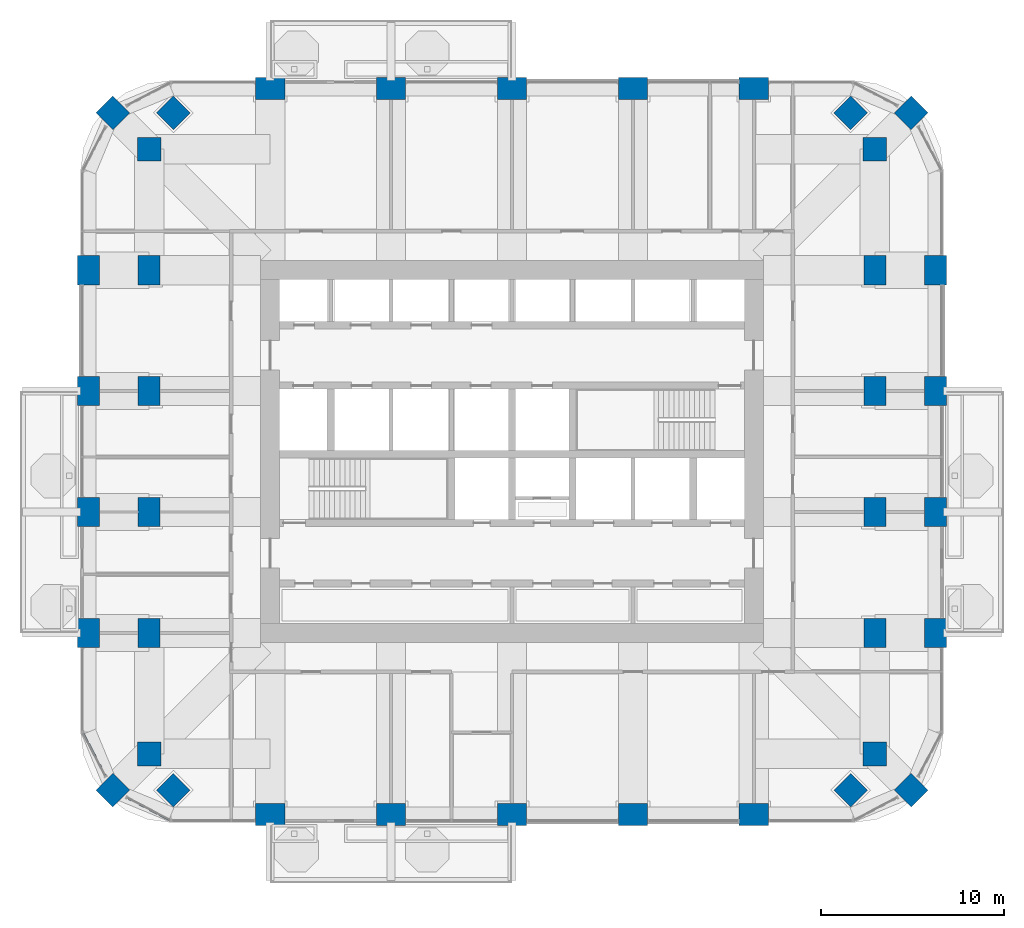
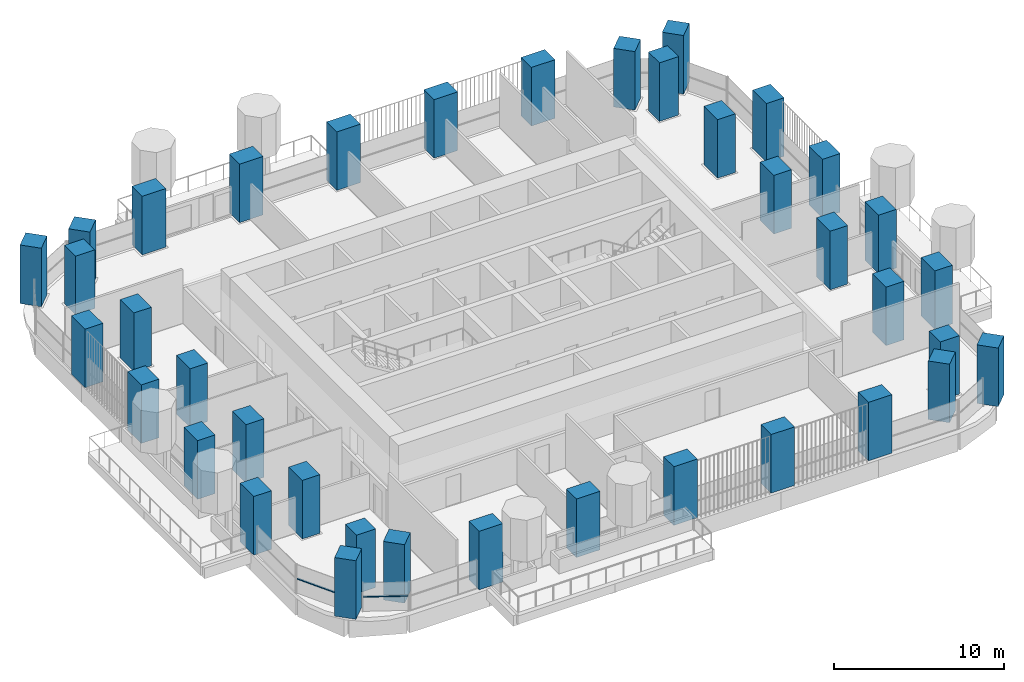
# One storey, part 1 of 20: 38 columns, 2 members, 2 elements without a shape of their own.
"""IFC4 building model written with IfcOpenShell, lengths in metres."""

from ifc_helpers import new_model, si_unit, direction, frame, origin, origin_2d, place, context, subcontext, project, spatial, rectangle, extrude, material, material_profile, profile_set, type_object, element, aggregate, save


model = new_model("IFC4")

# Units and contexts
model_context = context("Model", 3, precision=1e-05, world=origin(), true_north=direction((0.0, 1.0)))
body_context = subcontext(model_context, "Body", "Model", "MODEL_VIEW")
ifc_project = project(units=[si_unit("LENGTHUNIT", "METRE"), si_unit("AREAUNIT", "SQUARE_METRE"), si_unit("VOLUMEUNIT", "CUBIC_METRE"), si_unit("PLANEANGLEUNIT", "RADIAN"), si_unit("MASSUNIT", "GRAM", prefix="KILO")], contexts=[model_context])

# Site, building, storey
site_placement = place(None, origin())
site = spatial("IfcSite", under=ifc_project, at=site_placement, CompositionType="ELEMENT")
building_placement = place(site_placement, origin())
building = spatial("IfcBuilding", under=site, at=building_placement, Name="Cobogo Forest Laboratory Tower", CompositionType="ELEMENT")
storey_placement = place(building_placement, frame((0.0, 0.0, 218.699951171875)))
storey = spatial("IfcBuildingStorey", under=building, at=storey_placement, Name="L50", CompositionType="ELEMENT", Elevation=218.699951171875)

# Columns
ifc_material_1 = material(Name="Concrete HA-50 (C50/60)", Category="concrete")
ifc_material_profile_1 = material_profile(ifc_material_1, rectangle(XDim=1.60009765625, YDim=1.199951171875, at=origin_2d()), Name="RC 1200x1600")
ifc_profile_set_1 = profile_set([ifc_material_profile_1], Name="Concrete HA-50 (C50/60)")
column_type_1 = type_object("IfcColumnType", Name="Blade column 1200x1600", PredefinedType="COLUMN", material=ifc_profile_set_1)
for number, where, z_axis, x_axis, name in (
    (1, (13.199951171875, 3.300048828125, 0.0), (0.0, 0.0, 1.0), (1.0, 0.0, 0.0), "Column 3-A.1 L50"),
    (2, (19.800048828125, 3.300048828125, 0.0), (0.0, 0.0, 1.0), (1.0, 0.0, 0.0), "Column 4-A.1 L50"),
    (3, (26.39990234375, 3.300048828125, 0.0), (0.0, 0.0, 1.0), (1.0, 0.0, 0.0), "Column 5-A.1 L50"),
    (4, (33.0, 3.300048828125, 0.0), (0.0, 0.0, 1.0), (1.0, 0.0, 0.0), "Column 6-A.1 L50"),
    (5, (39.60009765625, 3.300048828125, 0.0), (0.0, 0.0, 1.0), (1.0, 0.0, 0.0), "Column 7-A.1 L50"),
    (6, (3.300048828125, 13.199951171875, 0.0), (0.0, 0.0, 1.0), (0.0, 1.0, 0.0), "Column 1.1-C L50"),
    (7, (49.5, 13.199951171875, 0.0), (0.0, 0.0, 1.0), (0.0, 1.0, 0.0), "Column 8.1-C L50"),
    (8, (3.300048828125, 19.800048828125, 0.0), (0.0, 0.0, 1.0), (0.0, 1.0, 0.0), "Column 1.1-D L50"),
    (9, (49.5, 19.800048828125, 0.0), (0.0, 0.0, 1.0), (0.0, 1.0, 0.0), "Column 8.1-D L50"),
    (10, (3.300048828125, 26.39990234375, 0.0), (0.0, 0.0, 1.0), (0.0, 1.0, 0.0), "Column 1.1-E L50"),
    (11, (49.5, 26.39990234375, 0.0), (0.0, 0.0, 1.0), (0.0, 1.0, 0.0), "Column 8.1-E L50"),
    (12, (3.300048828125, 33.0, 0.0), (0.0, 0.0, 1.0), (0.0, 1.0, 0.0), "Column 1.1-F L50"),
    (13, (49.5, 33.0, 0.0), (0.0, 0.0, 1.0), (0.0, 1.0, 0.0), "Column 8.1-F L50"),
    (14, (13.199951171875, 42.89990234375, 0.0), (0.0, 0.0, 1.0), (1.0, 0.0, 0.0), "Column 3-G.1 L50"),
    (15, (19.800048828125, 42.89990234375, 0.0), (0.0, 0.0, 1.0), (1.0, 0.0, 0.0), "Column 4-G.1 L50"),
    (16, (26.39990234375, 42.89990234375, 0.0), (0.0, 0.0, 1.0), (1.0, 0.0, 0.0), "Column 5-G.1 L50"),
    (17, (33.0, 42.89990234375, 0.0), (0.0, 0.0, 1.0), (1.0, 0.0, 0.0), "Column 6-G.1 L50"),
    (18, (39.60009765625, 42.89990234375, 0.0), (0.0, 0.0, 1.0), (1.0, 0.0, 0.0), "Column 7-G.1 L50"),
    (19, (6.60009765625, 13.199951171875, 0.0), (0.0, 0.0, 1.0), (0.0, 1.0, 0.0), "Column 2-C-D L50"),
    (20, (46.199951171875, 13.199951171875, 0.0), (0.0, 0.0, 1.0), (0.0, 1.0, 0.0), "Column 8-C-D L50"),
    (21, (6.60009765625, 19.800048828125, 0.0), (0.0, 0.0, 1.0), (0.0, 1.0, 0.0), "Column 2-D-D L50"),
    (22, (46.199951171875, 19.800048828125, 0.0), (0.0, 0.0, 1.0), (0.0, 1.0, 0.0), "Column 8-D-D L50"),
    (23, (6.60009765625, 26.39990234375, 0.0), (0.0, 0.0, 1.0), (0.0, 1.0, 0.0), "Column 2-E-D L50"),
    (24, (46.199951171875, 26.39990234375, 0.0), (0.0, 0.0, 1.0), (0.0, 1.0, 0.0), "Column 8-E-D L50"),
    (25, (6.60009765625, 33.0, 0.0), (0.0, 0.0, 1.0), (0.0, 1.0, 0.0), "Column 2-F-D L50"),
    (26, (46.199951171875, 33.0, 0.0), (0.0, 0.0, 1.0), (0.0, 1.0, 0.0), "Column 8-F-D L50"),
):
    element("IfcColumn", number, at=place(storey_placement, frame(where, z_axis=z_axis, x_axis=x_axis)), inside=storey, type_object=column_type_1, Name=name, PredefinedType="COLUMN", context=body_context, shape_type="SweptSolid", body=[
        extrude(rectangle(XDim=1.60009765625, YDim=1.199951171875, at=origin_2d()), origin(), (0.0, 0.0, 1.0), 4.199951171875),
    ])
ifc_material_profile_2 = material_profile(ifc_material_1, rectangle(XDim=1.300048828125, YDim=1.300048828125, at=origin_2d()), Name="RC 1300x1300")
ifc_profile_set_2 = profile_set([ifc_material_profile_2], Name="Concrete HA-50 (C50/60)")
column_type_2 = type_object("IfcColumnType", Name="Column 1300x1300", PredefinedType="COLUMN", material=ifc_profile_set_2)
for number, where, z_axis, x_axis, name in (
    (27, (4.617919921875, 4.617919921875, 0.0), (0.0, 0.0, 1.0), (0.707106781187, 0.707106781187, 0.0), "Column CNR-SW L50"),
    (28, (48.181884765625, 4.617919921875, 0.0), (0.0, 0.0, 1.0), (0.707106781187, 0.707106781187, 0.0), "Column CNR-SE L50"),
    (29, (4.617919921875, 41.58203125, 0.0), (0.0, 0.0, 1.0), (0.707106781187, 0.707106781187, 0.0), "Column CNR-NW L50"),
    (30, (48.181884765625, 41.58203125, 0.0), (0.0, 0.0, 1.0), (0.707106781187, 0.707106781187, 0.0), "Column CNR-NE L50"),
    (31, (6.60009765625, 6.60009765625, 0.0), (0.0, 0.0, 1.0), (1.0, 0.0, 0.0), "Column 2-B L50"),
    (32, (46.199951171875, 6.60009765625, 0.0), (0.0, 0.0, 1.0), (1.0, 0.0, 0.0), "Column 8-B L50"),
    (33, (6.60009765625, 39.60009765625, 0.0), (0.0, 0.0, 1.0), (1.0, 0.0, 0.0), "Column 2-G L50"),
    (34, (46.199951171875, 39.60009765625, 0.0), (0.0, 0.0, 1.0), (1.0, 0.0, 0.0), "Column 8-G L50"),
    (35, (7.91796875, 4.617919921875, 0.0), (0.0, 0.0, 1.0), (0.707106781187, 0.707106781187, 0.0), "Column CNR-SW-D L50"),
    (36, (44.882080078125, 4.617919921875, 0.0), (0.0, 0.0, 1.0), (0.707106781187, 0.707106781187, 0.0), "Column CNR-SE-D L50"),
    (37, (7.91796875, 41.58203125, 0.0), (0.0, 0.0, 1.0), (0.707106781187, 0.707106781187, 0.0), "Column CNR-NW-D L50"),
    (38, (44.882080078125, 41.58203125, 0.0), (0.0, 0.0, 1.0), (0.707106781187, 0.707106781187, 0.0), "Column CNR-NE-D L50"),
):
    element("IfcColumn", number, at=place(storey_placement, frame(where, z_axis=z_axis, x_axis=x_axis)), inside=storey, type_object=column_type_2, Name=name, PredefinedType="COLUMN", context=body_context, shape_type="SweptSolid", body=[
        extrude(rectangle(XDim=1.300048828125, YDim=1.300048828125, at=origin_2d()), origin(), (0.0, 0.0, 1.0), 4.199951171875),
    ])

# Curtain wall, member
ifc_material_2 = material(Name="Aluminium curtain wall", Category="aluminium")
curtain_wall_type = type_object("IfcCurtainWallType", Name="CW-2 unitised curtain wall, solar control glazing, laboratory floors zones C and D", PredefinedType="USERDEFINED", material=ifc_material_2)
curtain_wall_1_placement = place(storey_placement, origin())
curtain_wall_1 = element("IfcCurtainWall", 39, at=curtain_wall_1_placement, inside=storey, type_object=curtain_wall_type, Name="Curtain wall 29 L50", ObjectType="UNITISED CURTAIN WALL", PredefinedType="USERDEFINED")
ifc_material_3 = material(Name="Aluminium transom", Category="aluminium")
ifc_material_profile_3 = material_profile(ifc_material_3, rectangle(XDim=0.1201171875, YDim=0.06005859375, at=origin_2d()), Name="AL 60x120")
ifc_profile_set_3 = profile_set([ifc_material_profile_3], Name="Aluminium transom")
member_type = type_object("IfcMemberType", Name="TR-1 aluminium transom 60x120", PredefinedType="USERDEFINED", material=ifc_profile_set_3)
member_1_placement = place(storey_placement, frame((2.977783203125, 7.746826171875, 1.050048828125), z_axis=(0.464268054753, -0.885694740493, 0.0), x_axis=(0.885694740493, 0.464268054753, 0.0)))
member_1 = element("IfcMember", 40, at=member_1_placement, type_object=member_type, Name="CW-2 transom 1.1", ObjectType="TRANSOM", PredefinedType="USERDEFINED", context=body_context, shape_type="SweptSolid", body=[
    extrude(rectangle(XDim=0.1201171875, YDim=0.06005859375, at=origin_2d()), origin(), (0.0, 0.0, 1.0), 2.655517578125),
])
aggregate(curtain_wall_1, [member_1])

curtain_wall_2_placement = place(storey_placement, origin())
curtain_wall_2 = element("IfcCurtainWall", 41, at=curtain_wall_2_placement, inside=storey, type_object=curtain_wall_type, Name="Curtain wall 30 L50", ObjectType="UNITISED CURTAIN WALL", PredefinedType="USERDEFINED")
member_2_placement = place(storey_placement, frame((5.394775390625, 4.210693359375, 1.050048828125), z_axis=(0.885694740493, -0.464268054753, 0.0), x_axis=(0.464268054753, 0.885694740493, 0.0)))
member_2 = element("IfcMember", 42, at=member_2_placement, type_object=member_type, Name="CW-2 transom 1.1", ObjectType="TRANSOM", PredefinedType="USERDEFINED", context=body_context, shape_type="SweptSolid", body=[
    extrude(rectangle(XDim=0.1201171875, YDim=0.06005859375, at=origin_2d()), origin(), (0.0, 0.0, 1.0), 2.655517578125),
])
aggregate(curtain_wall_2, [member_2])

save(model, "model.ifc")
